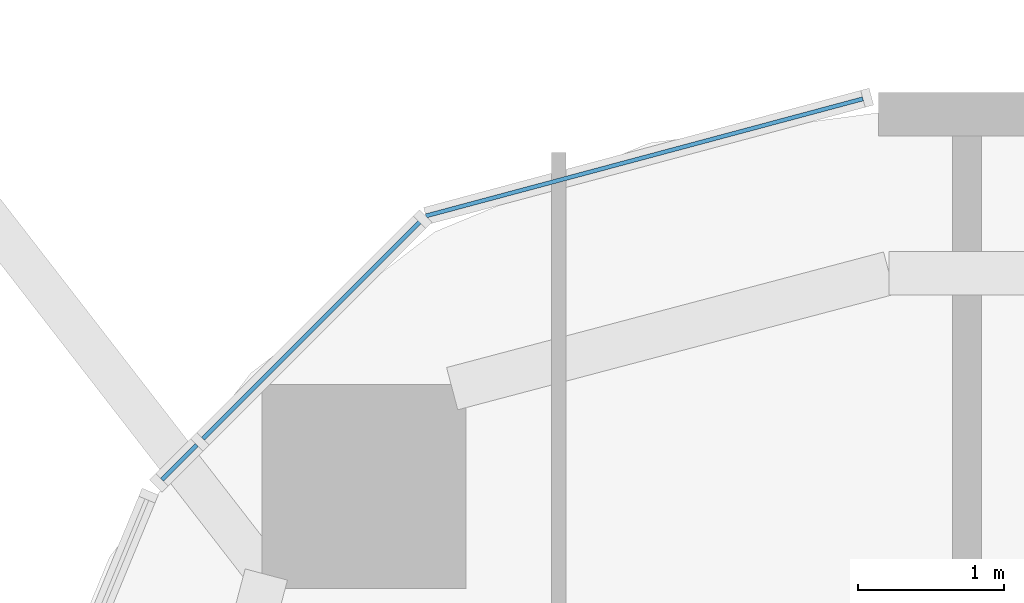
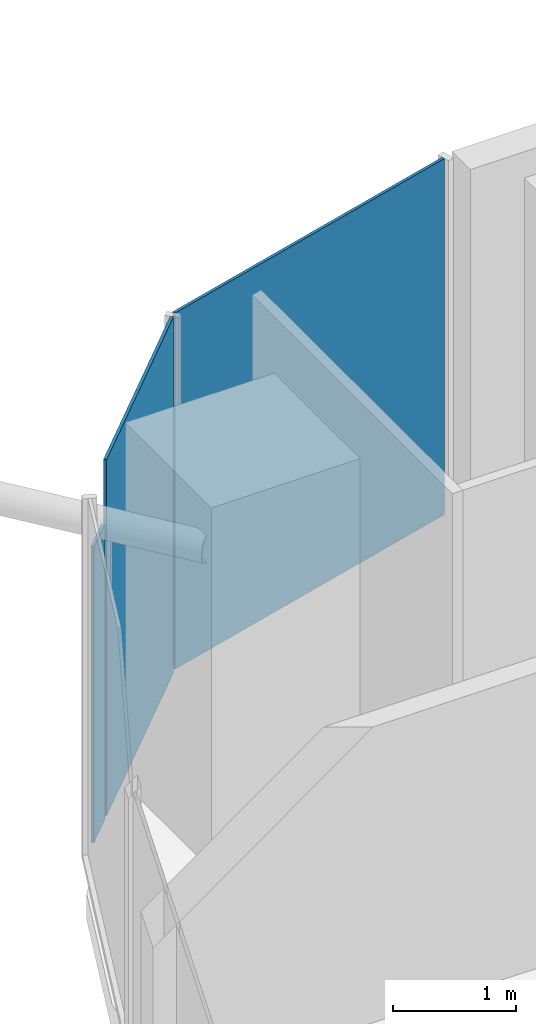
# One storey, part 18 of 28: 3 plates, 3 elements without a shape of their own.
"""IFC4 building model written with IfcOpenShell, lengths in metres."""

from ifc_helpers import new_model, si_unit, direction, frame, origin, origin_2d, place, context, subcontext, project, spatial, rectangle, extrude, material, layer, layer_set, type_object, element, aggregate, save


model = new_model("IFC4")

# Units and contexts
model_context = context("Model", 3, precision=1e-05, world=origin(), true_north=direction((0.0, 1.0)))
body_context = subcontext(model_context, "Body", "Model", "MODEL_VIEW")
ifc_project = project(units=[si_unit("LENGTHUNIT", "METRE"), si_unit("AREAUNIT", "SQUARE_METRE"), si_unit("VOLUMEUNIT", "CUBIC_METRE"), si_unit("PLANEANGLEUNIT", "RADIAN"), si_unit("MASSUNIT", "GRAM", prefix="KILO")], contexts=[model_context])

# Site, building, storey
site_placement = place(None, origin())
site = spatial("IfcSite", under=ifc_project, at=site_placement, CompositionType="ELEMENT")
building_placement = place(site_placement, origin())
building = spatial("IfcBuilding", under=site, at=building_placement, Name="Marenta Gate Hotel Tower", CompositionType="ELEMENT")
storey_placement = place(building_placement, frame((0.0, 0.0, 198.5)))
storey = spatial("IfcBuildingStorey", under=building, at=storey_placement, Name="L45", CompositionType="ELEMENT", Elevation=198.5)

# Curtain wall, plate
ifc_material_1 = material(Name="Tinted insulated glass in bronze anodised frame", Category="glass")
ifc_layer_1 = layer(ifc_material_1, 0.1201171875)
ifc_layer_set_1 = layer_set([ifc_layer_1], Name="Tinted insulated glass in bronze anodised frame")
curtain_wall_type = type_object("IfcCurtainWallType", Name="Tower unitised curtain wall CW1", PredefinedType="NOTDEFINED", material=ifc_layer_set_1)
curtain_wall_1_placement = place(storey_placement, origin())
curtain_wall_1 = element("IfcCurtainWall", 1, at=curtain_wall_1_placement, inside=storey, type_object=curtain_wall_type, Name="CW1 run G00", PredefinedType="NOTDEFINED")
ifc_material_2 = material(Name="Tinted insulated glass", Category="glass")
ifc_layer_2 = layer(ifc_material_2, 0.028076171875)
ifc_layer_set_2 = layer_set([ifc_layer_2], Name="Tinted insulated glass")
plate_type = type_object("IfcPlateType", Name="Glass panel CW1 28 mm tinted insulated unit", PredefinedType="CURTAIN_PANEL", material=ifc_layer_set_2)
plate_1_placement = place(storey_placement, frame((-20.813720703125, 22.19384765625, 0.06005859375), z_axis=(0.0, 0.0, 1.0), x_axis=(-0.965930559685, -0.258801379183, 0.0)))
plate_1 = element("IfcPlate", 2, at=plate_1_placement, type_object=plate_type, Name="CW1 panel 1.1", PredefinedType="CURTAIN_PANEL", context=body_context, shape_type="SweptSolid", body=[
    extrude(rectangle(XDim=3.104248046875, YDim=0.028076171875, at=origin_2d()), origin(), (0.0, 0.0, 1.0), 3.5400390625),
])
aggregate(curtain_wall_1, [plate_1])

curtain_wall_2_placement = place(storey_placement, origin())
curtain_wall_2 = element("IfcCurtainWall", 3, at=curtain_wall_2_placement, inside=storey, type_object=curtain_wall_type, Name="CW1 run G01", PredefinedType="NOTDEFINED")
plate_2_placement = place(storey_placement, frame((-23.0986328125, 21.00634765625, 0.06005859375), z_axis=(0.0, 0.0, 1.0), x_axis=(-0.707106781187, -0.707106781187, 0.0)))
plate_2 = element("IfcPlate", 4, at=plate_2_placement, type_object=plate_type, Name="CW1 panel 1.1", PredefinedType="CURTAIN_PANEL", context=body_context, shape_type="SweptSolid", body=[
    extrude(rectangle(XDim=2.1025390625, YDim=0.028076171875, at=origin_2d()), origin(), (0.0, 0.0, 1.0), 3.5400390625),
])
aggregate(curtain_wall_2, [plate_2])

curtain_wall_3_placement = place(storey_placement, origin())
curtain_wall_3 = element("IfcCurtainWall", 5, at=curtain_wall_3_placement, inside=storey, type_object=curtain_wall_type, Name="CW1 run G02", PredefinedType="NOTDEFINED")
plate_3_placement = place(storey_placement, frame((-24.003662109375, 20.1015625, 0.06005859375), z_axis=(0.0, 0.0, 1.0), x_axis=(-0.707106781187, -0.707106781187, 0.0)))
plate_3 = element("IfcPlate", 6, at=plate_3_placement, type_object=plate_type, Name="CW1 panel 1.1", PredefinedType="CURTAIN_PANEL", context=body_context, shape_type="SweptSolid", body=[
    extrude(rectangle(XDim=0.336669921875, YDim=0.028076171875, at=origin_2d()), origin(), (0.0, 0.0, 1.0), 2.9404296875),
])
aggregate(curtain_wall_3, [plate_3])

save(model, "model.ifc")
